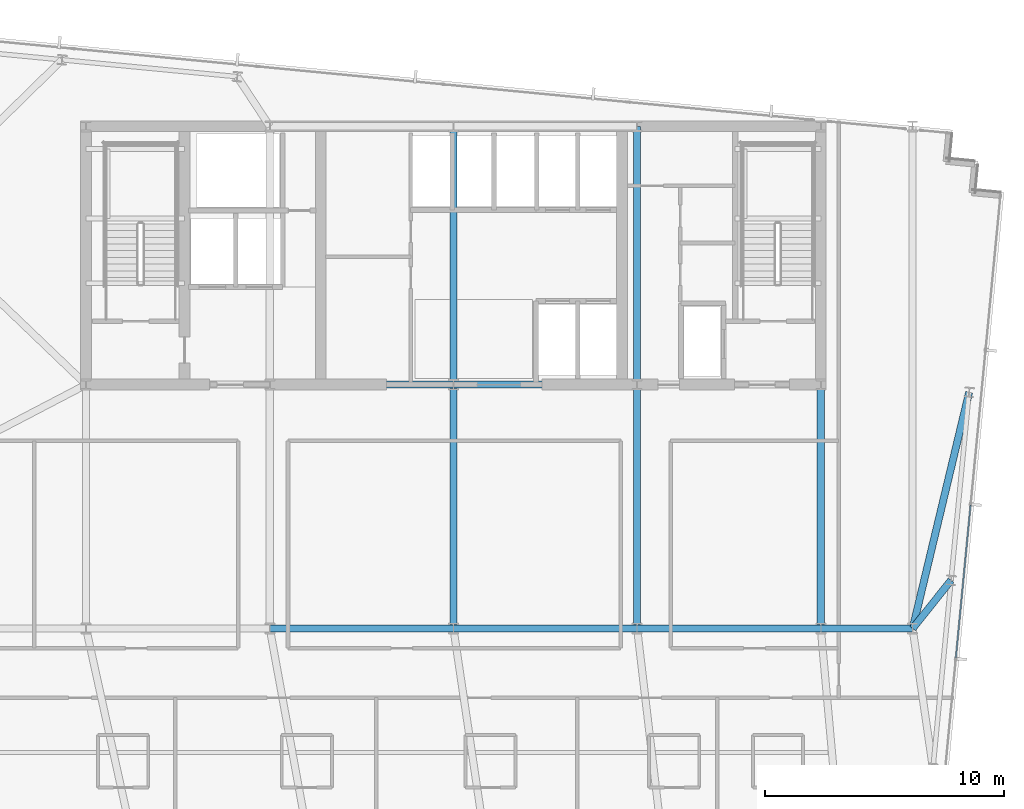
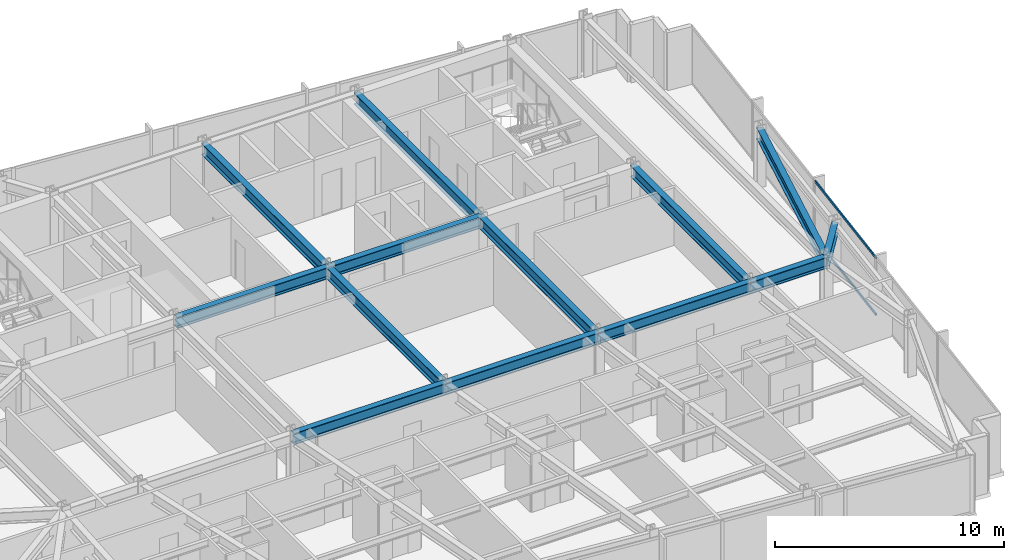
# One storey, part 17 of 37: 13 beams, 2 members, 1 element without a shape of its own.
"""IFC4 building model written with IfcOpenShell, lengths in metres."""

from ifc_helpers import new_model, si_unit, direction, frame, origin, origin_2d, place, context, subcontext, project, spatial, hollow_rectangle, i_section, extrude, material, material_profile, profile_set, type_object, element, aggregate, save


model = new_model("IFC4")

# Units and contexts
model_context = context("Model", 3, precision=1e-05, world=origin(), true_north=direction((0.0, 1.0)))
body_context = subcontext(model_context, "Body", "Model", "MODEL_VIEW")
ifc_project = project(units=[si_unit("LENGTHUNIT", "METRE"), si_unit("AREAUNIT", "SQUARE_METRE"), si_unit("VOLUMEUNIT", "CUBIC_METRE"), si_unit("PLANEANGLEUNIT", "RADIAN"), si_unit("MASSUNIT", "GRAM", prefix="KILO")], contexts=[model_context])

# Site, building, storey
site_placement = place(None, origin())
site = spatial("IfcSite", under=ifc_project, at=site_placement, CompositionType="ELEMENT")
building_placement = place(site_placement, origin())
building = spatial("IfcBuilding", under=site, at=building_placement, Name="Yelkora Congress Tower", CompositionType="ELEMENT")
storey_placement = place(building_placement, frame((0.0, 0.0, 165.5)))
storey = spatial("IfcBuildingStorey", under=building, at=storey_placement, Name="L45", CompositionType="ELEMENT", Elevation=165.5)

# Beams
ifc_material_1 = material(Name="Steel S355J2", Category="steel")
ifc_material_profile_1 = material_profile(ifc_material_1, i_section(OverallWidth=0.300048828125, OverallDepth=0.60009765625, WebThickness=0.015380859375, FlangeThickness=0.030029296875, FilletRadius=0.027099609375, at=origin_2d()), Name="HEB 600")
ifc_profile_set_1 = profile_set([ifc_material_profile_1], Name="Steel S355J2")
beam_type = type_object("IfcBeamType", Name="BM-GIRD-HEB600", PredefinedType="BEAM", material=ifc_profile_set_1)
beam_1_placement = place(storey_placement, frame((30.719970703125, 25.199951171875, 2.780029296875), z_axis=(1.0, 0.0, 0.0), x_axis=(0.0, 1.0, 0.0)))
element("IfcBeam", 1, at=beam_1_placement, inside=storey, type_object=beam_type, Name="L45 Spine Grid D Girder 3", PredefinedType="BEAM", context=body_context, shape_type="SweptSolid", body=[
    extrude(i_section(OverallWidth=0.300048828125, OverallDepth=0.60009765625, WebThickness=0.015380859375, FlangeThickness=0.030029296875, FilletRadius=0.027099609375, at=origin_2d()), origin(), (0.0, 0.0, 1.0), 7.679931640625),
])
beam_2_placement = place(storey_placement, frame((38.39990234375, 25.199951171875, 2.780029296875), z_axis=(1.0, 0.0, 0.0), x_axis=(0.0, 1.0, 0.0)))
element("IfcBeam", 2, at=beam_2_placement, inside=storey, type_object=beam_type, Name="L45 Spine Grid D Girder 4", PredefinedType="BEAM", context=body_context, shape_type="SweptSolid", body=[
    extrude(i_section(OverallWidth=0.300048828125, OverallDepth=0.60009765625, WebThickness=0.015380859375, FlangeThickness=0.030029296875, FilletRadius=0.027099609375, at=origin_2d()), origin(), (0.0, 0.0, 1.0), 7.68017578125),
])
beam_3_placement = place(storey_placement, frame((46.080078125, 25.199951171875, 2.780029296875), z_axis=(1.0, 0.0, 0.0), x_axis=(0.0, 1.0, 0.0)))
element("IfcBeam", 3, at=beam_3_placement, inside=storey, type_object=beam_type, Name="L45 Spine Grid D Girder 5", PredefinedType="BEAM", context=body_context, shape_type="SweptSolid", body=[
    extrude(i_section(OverallWidth=0.300048828125, OverallDepth=0.60009765625, WebThickness=0.015380859375, FlangeThickness=0.030029296875, FilletRadius=0.027099609375, at=origin_2d()), origin(), (0.0, 0.0, 1.0), 7.679931640625),
])
beam_4_placement = place(storey_placement, frame((53.760009765625, 25.199951171875, 2.780029296875), z_axis=(1.0, 0.0, 0.0), x_axis=(0.0, 1.0, 0.0)))
element("IfcBeam", 4, at=beam_4_placement, inside=storey, type_object=beam_type, Name="L45 Spine Grid D Girder 6", PredefinedType="BEAM", context=body_context, shape_type="SweptSolid", body=[
    extrude(i_section(OverallWidth=0.300048828125, OverallDepth=0.60009765625, WebThickness=0.015380859375, FlangeThickness=0.030029296875, FilletRadius=0.027099609375, at=origin_2d()), origin(), (0.0, 0.0, 1.0), 3.840087890625),
])
beam_5_placement = place(storey_placement, frame((30.719970703125, 35.39990234375, 2.780029296875), z_axis=(1.0, 0.0, 0.0), x_axis=(0.0, 1.0, 0.0)))
element("IfcBeam", 5, at=beam_5_placement, inside=storey, type_object=beam_type, Name="L45 Core South Girder 2", PredefinedType="BEAM", context=body_context, shape_type="SweptSolid", body=[
    extrude(i_section(OverallWidth=0.300048828125, OverallDepth=0.60009765625, WebThickness=0.015380859375, FlangeThickness=0.030029296875, FilletRadius=0.027099609375, at=origin_2d()), origin(), (0.0, 0.0, 1.0), 7.679931640625),
])
beam_6_placement = place(storey_placement, frame((38.39990234375, 35.39990234375, 2.780029296875), z_axis=(1.0, 0.0, 0.0), x_axis=(0.0, 1.0, 0.0)))
element("IfcBeam", 6, at=beam_6_placement, inside=storey, type_object=beam_type, Name="L45 Core South Girder 3", PredefinedType="BEAM", context=body_context, shape_type="SweptSolid", body=[
    extrude(i_section(OverallWidth=0.300048828125, OverallDepth=0.60009765625, WebThickness=0.015380859375, FlangeThickness=0.030029296875, FilletRadius=0.027099609375, at=origin_2d()), origin(), (0.0, 0.0, 1.0), 7.68017578125),
])
beam_7_placement = place(storey_placement, frame((38.39990234375, 25.199951171875, 2.780029296875), z_axis=(0.0, 1.0, 0.0), x_axis=(-1.0, 0.0, 0.0)))
element("IfcBeam", 7, at=beam_7_placement, inside=storey, type_object=beam_type, Name="L45 Core Tie Girder MC-D3", PredefinedType="BEAM", context=body_context, shape_type="SweptSolid", body=[
    extrude(i_section(OverallWidth=0.300048828125, OverallDepth=0.60009765625, WebThickness=0.015380859375, FlangeThickness=0.030029296875, FilletRadius=0.027099609375, at=origin_2d()), origin(), (0.0, 0.0, 1.0), 10.199951171875),
])
beam_8_placement = place(storey_placement, frame((38.39990234375, 35.39990234375, 2.780029296875), z_axis=(0.0, 1.0, 0.0), x_axis=(-1.0, 0.0, 0.0)))
element("IfcBeam", 8, at=beam_8_placement, inside=storey, type_object=beam_type, Name="L45 Core Tie Girder MC-S3", PredefinedType="BEAM", context=body_context, shape_type="SweptSolid", body=[
    extrude(i_section(OverallWidth=0.300048828125, OverallDepth=0.60009765625, WebThickness=0.015380859375, FlangeThickness=0.030029296875, FilletRadius=0.027099609375, at=origin_2d()), origin(), (0.0, 0.0, 1.0), 10.800048828125),
])
beam_9_placement = place(storey_placement, frame((46.080078125, 25.199951171875, 2.780029296875), z_axis=(0.0, 1.0, 0.0), x_axis=(-1.0, 0.0, 0.0)))
element("IfcBeam", 9, at=beam_9_placement, inside=storey, type_object=beam_type, Name="L45 Core Tie Girder MC-D4", PredefinedType="BEAM", context=body_context, shape_type="SweptSolid", body=[
    extrude(i_section(OverallWidth=0.300048828125, OverallDepth=0.60009765625, WebThickness=0.015380859375, FlangeThickness=0.030029296875, FilletRadius=0.027099609375, at=origin_2d()), origin(), (0.0, 0.0, 1.0), 10.199951171875),
])
beam_10_placement = place(storey_placement, frame((46.080078125, 35.39990234375, 2.780029296875), z_axis=(0.0, 1.0, 0.0), x_axis=(-1.0, 0.0, 0.0)))
element("IfcBeam", 10, at=beam_10_placement, inside=storey, type_object=beam_type, Name="L45 Core Tie Girder MC-S4", PredefinedType="BEAM", context=body_context, shape_type="SweptSolid", body=[
    extrude(i_section(OverallWidth=0.300048828125, OverallDepth=0.60009765625, WebThickness=0.015380859375, FlangeThickness=0.030029296875, FilletRadius=0.027099609375, at=origin_2d()), origin(), (0.0, 0.0, 1.0), 10.800048828125),
])
beam_11_placement = place(storey_placement, frame((53.760009765625, 25.199951171875, 2.780029296875), z_axis=(0.0, 1.0, 0.0), x_axis=(-1.0, 0.0, 0.0)))
element("IfcBeam", 11, at=beam_11_placement, inside=storey, type_object=beam_type, Name="L45 Core Tie Girder MC-D5", PredefinedType="BEAM", context=body_context, shape_type="SweptSolid", body=[
    extrude(i_section(OverallWidth=0.300048828125, OverallDepth=0.60009765625, WebThickness=0.015380859375, FlangeThickness=0.030029296875, FilletRadius=0.027099609375, at=origin_2d()), origin(), (0.0, 0.0, 1.0), 10.199951171875),
])
beam_12_placement = place(storey_placement, frame((59.206298828125, 27.217529296875, 2.780029296875), z_axis=(-0.622834511353, -0.782353610248, 0.0), x_axis=(0.782353610248, -0.622834511353, 0.0)))
element("IfcBeam", 12, at=beam_12_placement, inside=storey, type_object=beam_type, Name="L45 Primary Frame Girder E02", PredefinedType="BEAM", context=body_context, shape_type="SweptSolid", body=[
    extrude(i_section(OverallWidth=0.300048828125, OverallDepth=0.60009765625, WebThickness=0.015380859375, FlangeThickness=0.030029296875, FilletRadius=0.027099609375, at=origin_2d()), origin(), (0.0, 0.0, 1.0), 2.578857421875),
])
beam_13_placement = place(storey_placement, frame((59.96337890625, 35.0810546875, 2.780029296875), z_axis=(-0.23261126158, -0.972569792347, 0.0), x_axis=(0.972569792347, -0.23261126158, 0.0)))
element("IfcBeam", 13, at=beam_13_placement, inside=storey, type_object=beam_type, Name="L45 Primary Frame Girder E03", PredefinedType="BEAM", context=body_context, shape_type="SweptSolid", body=[
    extrude(i_section(OverallWidth=0.300048828125, OverallDepth=0.60009765625, WebThickness=0.015380859375, FlangeThickness=0.030029296875, FilletRadius=0.027099609375, at=origin_2d()), origin(), (0.0, 0.0, 1.0), 10.15966796875),
])

# Curtain wall, members
ifc_material_2 = material(Name="Anodised aluminium and insulated glass", Category="aluminium")
curtain_wall_type = type_object("IfcCurtainWallType", Name="CW-SYS-B3", PredefinedType="NOTDEFINED", material=ifc_material_2)
curtain_wall_placement = place(storey_placement, origin())
curtain_wall = element("IfcCurtainWall", 14, at=curtain_wall_placement, inside=storey, type_object=curtain_wall_type, Name="L45 Unitised Curtain Wall 15", PredefinedType="NOTDEFINED")
ifc_material_3 = material(Name="Anodised aluminium 6063-T6", Category="aluminium")
ifc_material_profile_2 = material_profile(ifc_material_3, hollow_rectangle(XDim=0.06005859375, YDim=0.1298828125, WallThickness=0.00390625, at=origin_2d()), Name="ALU 60x130x4")
ifc_profile_set_2 = profile_set([ifc_material_profile_2], Name="Anodised aluminium 6063-T6")
member_type = type_object("IfcMemberType", Name="MEM-TR-B3", PredefinedType="USERDEFINED", material=ifc_profile_set_2)
member_1_placement = place(storey_placement, frame((60.021484375, 30.36083984375, 0.030029296875), z_axis=(-0.095843682057, -0.995396397728, 0.0), x_axis=(0.995396397728, -0.095843682057, 0.0)))
member_1 = element("IfcMember", 15, at=member_1_placement, type_object=member_type, Name="CW-B3 transom 3.1", ObjectType="TRANSOM", PredefinedType="USERDEFINED", context=body_context, shape_type="SweptSolid", body=[
    extrude(hollow_rectangle(XDim=0.06005859375, YDim=0.1298828125, WallThickness=0.00390625, at=origin_2d()), origin(), (0.0, 0.0, 1.0), 6.4140625),
])
member_2_placement = place(storey_placement, frame((60.021484375, 30.36083984375, 3.050048828125), z_axis=(-0.095843682057, -0.995396397728, 0.0), x_axis=(0.995396397728, -0.095843682057, 0.0)))
member_2 = element("IfcMember", 16, at=member_2_placement, type_object=member_type, Name="CW-B3 transom 3.2", ObjectType="TRANSOM", PredefinedType="USERDEFINED", context=body_context, shape_type="SweptSolid", body=[
    extrude(hollow_rectangle(XDim=0.06005859375, YDim=0.1298828125, WallThickness=0.00390625, at=origin_2d()), origin(), (0.0, 0.0, 1.0), 6.4140625),
])
aggregate(curtain_wall, [member_1, member_2])

save(model, "model.ifc")
